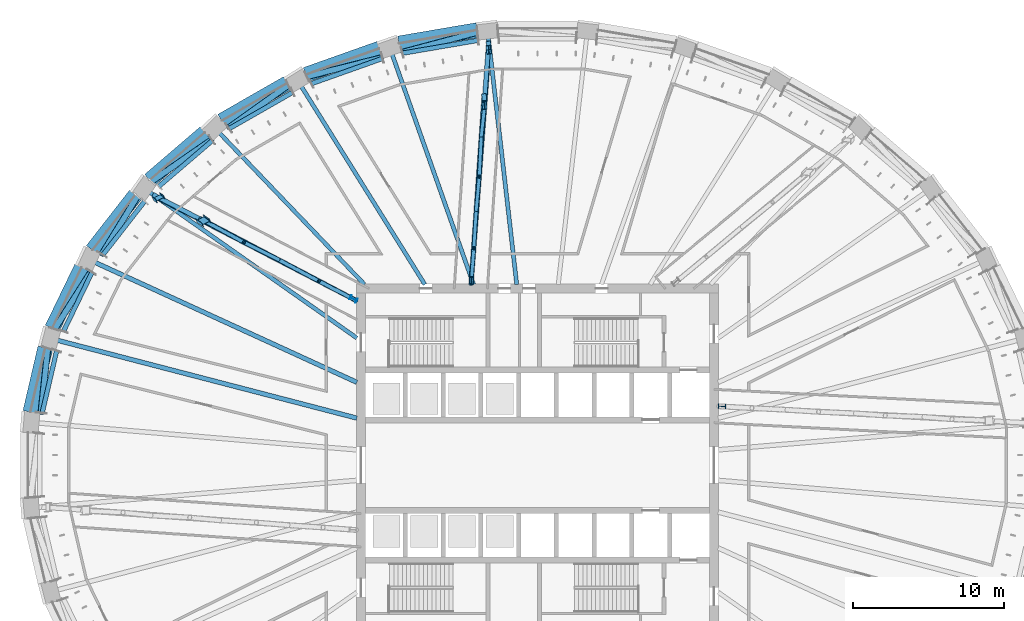
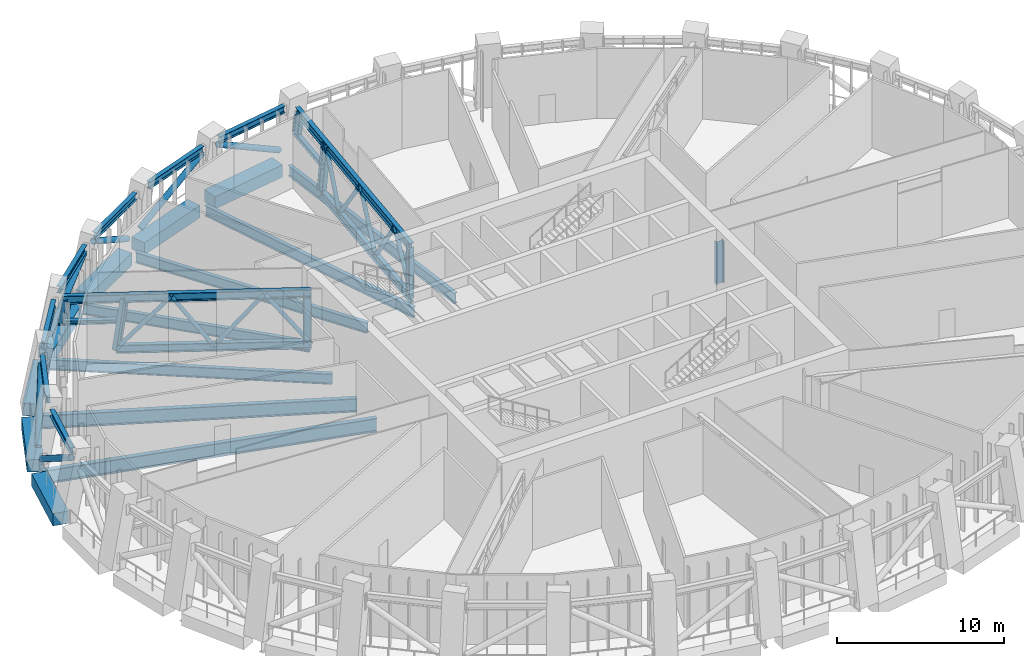
# One storey, part 4 of 21: 36 members, 14 beams.
"""IFC4 building model written with IfcOpenShell, lengths in metres."""

from ifc_helpers import new_model, si_unit, direction, frame, origin, origin_2d, place, context, subcontext, project, spatial, rectangle, hollow_circle, i_section, extrude, material, material_profile, profile_set, type_object, element, save


model = new_model("IFC4")

# Units and contexts
model_context = context("Model", 3, precision=1e-05, world=origin(), true_north=direction((0.0, 1.0)))
body_context = subcontext(model_context, "Body", "Model", "MODEL_VIEW")
ifc_project = project(units=[si_unit("LENGTHUNIT", "METRE"), si_unit("AREAUNIT", "SQUARE_METRE"), si_unit("VOLUMEUNIT", "CUBIC_METRE"), si_unit("PLANEANGLEUNIT", "RADIAN"), si_unit("MASSUNIT", "GRAM", prefix="KILO")], contexts=[model_context])

# Site, building, storey
site_placement = place(None, origin())
site = spatial("IfcSite", under=ifc_project, at=site_placement, CompositionType="ELEMENT")
building_placement = place(site_placement, origin())
building = spatial("IfcBuilding", under=site, at=building_placement, Name="Halqa Exchange Tower", CompositionType="ELEMENT")
storey_placement = place(building_placement, frame((0.0, 0.0, 173.5)))
storey = spatial("IfcBuildingStorey", under=building, at=storey_placement, Name="L39", CompositionType="ELEMENT", Elevation=173.5)

# Members
ifc_material_1 = material(Name="Steel S355", Category="steel")
ifc_material_profile_1 = material_profile(ifc_material_1, i_section(OverallWidth=0.300048828125, OverallDepth=0.5, WebThickness=0.014404296875, FlangeThickness=0.028076171875, FilletRadius=0.027099609375, at=origin_2d()), Name="HEB 500")
ifc_profile_set_1 = profile_set([ifc_material_profile_1], Name="Steel S355")
member_type_1 = type_object("IfcMemberType", Name="Belt truss chord HEB 500", PredefinedType="CHORD", material=ifc_profile_set_1)
member_1_placement = place(storey_placement, frame((-3.912841796875, 28.150390625, 4.25), z_axis=(-0.985772726473, -0.168083704572, 0.0), x_axis=(0.168083704572, -0.985772726473, 0.0)))
element("IfcMember", 1, at=member_1_placement, inside=storey, type_object=member_type_1, Name="Belt chord 9", PredefinedType="CHORD", context=body_context, shape_type="SweptSolid", body=[
    extrude(i_section(OverallWidth=0.300048828125, OverallDepth=0.5, WebThickness=0.014404296875, FlangeThickness=0.028076171875, FilletRadius=0.027099609375, at=origin_2d()), origin(), (0.0, 0.0, 1.0), 5.11279296875),
])
member_2_placement = place(storey_placement, frame((-10.254638671875, 26.95166015625, 4.25), z_axis=(-0.942378759051, -0.334547865769, 0.0), x_axis=(0.334547865769, -0.942378759051, 0.0)))
element("IfcMember", 2, at=member_2_placement, inside=storey, type_object=member_type_1, Name="Belt chord 10", PredefinedType="CHORD", context=body_context, shape_type="SweptSolid", body=[
    extrude(i_section(OverallWidth=0.300048828125, OverallDepth=0.5, WebThickness=0.014404296875, FlangeThickness=0.028076171875, FilletRadius=0.027099609375, at=origin_2d()), origin(), (0.0, 0.0, 1.0), 5.01708984375),
])
member_3_placement = place(storey_placement, frame((-16.2041015625, 24.712158203125, 4.25), z_axis=(-0.867761979949, -0.496980025912, 0.0), x_axis=(0.496980025912, -0.867761979949, 0.0)))
element("IfcMember", 3, at=member_3_placement, inside=storey, type_object=member_type_1, Name="Belt chord 11", PredefinedType="CHORD", context=body_context, shape_type="SweptSolid", body=[
    extrude(i_section(OverallWidth=0.300048828125, OverallDepth=0.5, WebThickness=0.014404296875, FlangeThickness=0.028076171875, FilletRadius=0.027099609375, at=origin_2d()), origin(), (0.0, 0.0, 1.0), 4.875244140625),
])
member_4_placement = place(storey_placement, frame((-21.53271484375, 21.5146484375, 4.25), z_axis=(-0.759249266191, -0.650799932228, 0.0), x_axis=(0.650799932228, -0.759249266191, 0.0)))
element("IfcMember", 4, at=member_4_placement, inside=storey, type_object=member_type_1, Name="Belt chord 12", PredefinedType="CHORD", context=body_context, shape_type="SweptSolid", body=[
    extrude(i_section(OverallWidth=0.300048828125, OverallDepth=0.5, WebThickness=0.014404296875, FlangeThickness=0.028076171875, FilletRadius=0.027099609375, at=origin_2d()), origin(), (0.0, 0.0, 1.0), 4.6982421875),
])
member_5_placement = place(storey_placement, frame((-26.02880859375, 17.483642578125, 4.25), z_axis=(-0.61479322814, -0.788688333014, 0.0), x_axis=(0.788688333014, -0.61479322814, 0.0)))
element("IfcMember", 5, at=member_5_placement, inside=storey, type_object=member_type_1, Name="Belt chord 13", PredefinedType="CHORD", context=body_context, shape_type="SweptSolid", body=[
    extrude(i_section(OverallWidth=0.300048828125, OverallDepth=0.5, WebThickness=0.014404296875, FlangeThickness=0.028076171875, FilletRadius=0.027099609375, at=origin_2d()), origin(), (0.0, 0.0, 1.0), 4.517822265625),
])
member_6_placement = place(storey_placement, frame((-29.515625, 12.779541015625, 4.25), z_axis=(-0.435124788825, -0.900370156186, 0.0), x_axis=(0.900370156186, -0.435124788825, 0.0)))
element("IfcMember", 6, at=member_6_placement, inside=storey, type_object=member_type_1, Name="Belt chord 14", PredefinedType="CHORD", context=body_context, shape_type="SweptSolid", body=[
    extrude(i_section(OverallWidth=0.300048828125, OverallDepth=0.5, WebThickness=0.014404296875, FlangeThickness=0.028076171875, FilletRadius=0.027099609375, at=origin_2d()), origin(), (0.0, 0.0, 1.0), 4.36083984375),
])
member_7_placement = place(storey_placement, frame((-31.8603515625, 7.5849609375, 4.25), z_axis=(-0.226071328972, -0.974110750488, 0.0), x_axis=(0.974110750488, -0.226071328972, 0.0)))
element("IfcMember", 7, at=member_7_placement, inside=storey, type_object=member_type_1, Name="Belt chord 15", PredefinedType="CHORD", context=body_context, shape_type="SweptSolid", body=[
    extrude(i_section(OverallWidth=0.300048828125, OverallDepth=0.5, WebThickness=0.014404296875, FlangeThickness=0.028076171875, FilletRadius=0.027099609375, at=origin_2d()), origin(), (0.0, 0.0, 1.0), 4.251708984375),
])
ifc_material_profile_2 = material_profile(ifc_material_1, hollow_circle(Radius=0.203125, WallThickness=0.02490234375, at=origin_2d()), Name="CHS 406.4x25")
ifc_profile_set_2 = profile_set([ifc_material_profile_2], Name="Steel S355")
member_type_2 = type_object("IfcMemberType", Name="Belt truss diagonal CHS 406.4x25", PredefinedType="BRACE", material=ifc_profile_set_2)
member_8_placement = place(storey_placement, frame((-3.975341796875, 28.6806640625, 0.892333984375), z_axis=(-0.837713840021, -0.223136467433, 0.498443215561), x_axis=(0.257389219972, -0.966307812988, 0.0)))
element("IfcMember", 8, at=member_8_placement, inside=storey, type_object=member_type_2, Name="Belt diagonal 9", PredefinedType="BRACE", context=body_context, shape_type="SweptSolid", body=[
    extrude(hollow_circle(Radius=0.203125, WallThickness=0.02490234375, at=origin_2d()), origin(), (0.0, 0.0, 1.0), 5.9619140625),
])
member_9_placement = place(storey_placement, frame((-10.268798828125, 27.0126953125, 3.864501953125), z_axis=(-0.840508424684, -0.213276763009, -0.498054826696), x_axis=(0.245952672162, -0.969281838815, 0.0)))
element("IfcMember", 9, at=member_9_placement, inside=storey, type_object=member_type_2, Name="Belt diagonal 10", PredefinedType="BRACE", context=body_context, shape_type="SweptSolid", body=[
    extrude(hollow_circle(Radius=0.203125, WallThickness=0.02490234375, at=origin_2d()), origin(), (0.0, 0.0, 1.0), 5.968505859375),
])
member_10_placement = place(storey_placement, frame((-16.504638671875, 25.174072265625, 0.912353515625), z_axis=(-0.69757096211, -0.497474173459, 0.515668691663), x_axis=(0.580626866406, -0.814169786966, 0.0)))
element("IfcMember", 10, at=member_10_placement, inside=storey, type_object=member_type_2, Name="Belt diagonal 11", PredefinedType="BRACE", context=body_context, shape_type="SweptSolid", body=[
    extrude(hollow_circle(Radius=0.203125, WallThickness=0.02490234375, at=origin_2d()), origin(), (0.0, 0.0, 1.0), 5.689453125),
])
member_11_placement = place(storey_placement, frame((-21.571533203125, 21.5712890625, 3.846923828125), z_axis=(-0.704309128448, -0.48869555383, -0.514903201827), x_axis=(0.570074666701, -0.821592888471, 0.0)))
element("IfcMember", 11, at=member_11_placement, inside=storey, type_object=member_type_2, Name="Belt diagonal 12", PredefinedType="BRACE", context=body_context, shape_type="SweptSolid", body=[
    extrude(hollow_circle(Radius=0.203125, WallThickness=0.02490234375, at=origin_2d()), origin(), (0.0, 0.0, 1.0), 5.701171875),
])
member_12_placement = place(storey_placement, frame((-26.509521484375, 17.80859375, 0.93896484375), z_axis=(-0.440784626595, -0.718445669426, 0.538093609924), x_axis=(0.852364909508, -0.522947474456, 0.0)))
element("IfcMember", 12, at=member_12_placement, inside=storey, type_object=member_type_2, Name="Belt diagonal 13", PredefinedType="BRACE", context=body_context, shape_type="SweptSolid", body=[
    extrude(hollow_circle(Radius=0.203125, WallThickness=0.02490234375, at=origin_2d()), origin(), (0.0, 0.0, 1.0), 5.3564453125),
])
member_13_placement = place(storey_placement, frame((-29.5810546875, 12.82080078125, 3.822265625), z_axis=(-0.451449029018, -0.712332770759, -0.537378635509), x_axis=(0.844655590948, -0.535310127571, 0.0)))
element("IfcMember", 13, at=member_13_placement, inside=storey, type_object=member_type_2, Name="Belt diagonal 14", PredefinedType="BRACE", context=body_context, shape_type="SweptSolid", body=[
    extrude(hollow_circle(Radius=0.203125, WallThickness=0.02490234375, at=origin_2d()), origin(), (0.0, 0.0, 1.0), 5.364013671875),
])
member_14_placement = place(storey_placement, frame((-32.4453125, 7.729736328125, 0.95751953125), z_axis=(-0.088716374085, -0.829155061044, 0.551934135305), x_axis=(0.994324598687, -0.10638887369, 0.0)))
element("IfcMember", 14, at=member_14_placement, inside=storey, type_object=member_type_2, Name="Belt diagonal 15", PredefinedType="BRACE", context=body_context, shape_type="SweptSolid", body=[
    extrude(hollow_circle(Radius=0.203125, WallThickness=0.02490234375, at=origin_2d()), origin(), (0.0, 0.0, 1.0), 5.159912109375),
])

# Beams
ifc_material_profile_3 = material_profile(ifc_material_1, i_section(OverallWidth=0.300048828125, OverallDepth=0.989990234375, WebThickness=0.0166015625, FlangeThickness=0.031005859375, FilletRadius=0.030029296875, at=origin_2d()), Name="HEA 1000")
ifc_profile_set_3 = profile_set([ifc_material_profile_3], Name="Steel S355")
beam_type_1 = type_object("IfcBeamType", Name="Floor beam HEA 1000", PredefinedType="BEAM", material=ifc_profile_set_3)
beam_1_placement = place(storey_placement, frame((-11.972412109375, 5.4853515625, -0.844970703125), z_axis=(-0.909131678644, 0.416508812495, 0.0), x_axis=(-0.416508812495, -0.909131678644, 0.0)))
element("IfcBeam", 15, at=beam_1_placement, inside=storey, type_object=beam_type_1, Name="Radial beam 14", PredefinedType="BEAM", context=body_context, shape_type="SweptSolid", body=[
    extrude(i_section(OverallWidth=0.300048828125, OverallDepth=0.989990234375, WebThickness=0.0166015625, FlangeThickness=0.031005859375, FilletRadius=0.030029296875, at=origin_2d()), origin(), (0.0, 0.0, 1.0), 19.36083984375),
])
ifc_material_profile_4 = material_profile(ifc_material_1, i_section(OverallWidth=0.300048828125, OverallDepth=1.0, WebThickness=0.01904296875, FlangeThickness=0.035888671875, FilletRadius=0.030029296875, at=origin_2d()), Name="HEB 1000")
ifc_profile_set_4 = profile_set([ifc_material_profile_4], Name="Steel S355")
beam_type_2 = type_object("IfcBeamType", Name="Floor beam HEB 1000", PredefinedType="BEAM", material=ifc_profile_set_4)
beam_2_placement = place(storey_placement, frame((-11.97119140625, 3.11279296875, -0.85009765625), z_axis=(-0.967821534715, 0.251637590478, 0.0), x_axis=(-0.251637590478, -0.967821534715, 0.0)))
element("IfcBeam", 16, at=beam_2_placement, inside=storey, type_object=beam_type_2, Name="Radial beam 15", PredefinedType="BEAM", context=body_context, shape_type="SweptSolid", body=[
    extrude(i_section(OverallWidth=0.300048828125, OverallDepth=1.0, WebThickness=0.01904296875, FlangeThickness=0.035888671875, FilletRadius=0.030029296875, at=origin_2d()), origin(), (0.0, 0.0, 1.0), 20.79638671875),
])
ifc_material_profile_5 = material_profile(ifc_material_1, i_section(OverallWidth=0.264892578125, OverallDepth=0.7529296875, WebThickness=0.01318359375, FlangeThickness=0.01708984375, FilletRadius=0.01708984375, at=origin_2d()), Name="IPE 750x147")
ifc_profile_set_5 = profile_set([ifc_material_profile_5], Name="Steel S355")
beam_type_3 = type_object("IfcBeamType", Name="Floor beam IPE 750x147", PredefinedType="BEAM", material=ifc_profile_set_5)
beam_3_placement = place(storey_placement, frame((-11.462890625, 11.97216796875, -0.7265625), z_axis=(-0.691574751558, 0.722304896153, 0.0), x_axis=(-0.722304896153, -0.691574751558, 0.0)))
element("IfcBeam", 17, at=beam_3_placement, inside=storey, type_object=beam_type_3, Name="Radial beam 12", PredefinedType="BEAM", context=body_context, shape_type="SweptSolid", body=[
    extrude(i_section(OverallWidth=0.264892578125, OverallDepth=0.7529296875, WebThickness=0.01318359375, FlangeThickness=0.01708984375, FilletRadius=0.01708984375, at=origin_2d()), origin(), (0.0, 0.0, 1.0), 14.165283203125),
])
ifc_material_profile_6 = material_profile(ifc_material_1, i_section(OverallWidth=0.26806640625, OverallDepth=0.77001953125, WebThickness=0.015625, FlangeThickness=0.025390625, FilletRadius=0.01708984375, at=origin_2d()), Name="IPE 750x196")
ifc_profile_set_6 = profile_set([ifc_material_profile_6], Name="Steel S355")
beam_type_4 = type_object("IfcBeamType", Name="Floor beam IPE 750x196", PredefinedType="BEAM", material=ifc_profile_set_6)
beam_4_placement = place(storey_placement, frame((-1.37548828125, 11.97119140625, -0.735107421875), z_axis=(-0.114150878314, 0.993463425084, 0.0), x_axis=(-0.993463425084, -0.114150878314, 0.0)))
element("IfcBeam", 18, at=beam_4_placement, inside=storey, type_object=beam_type_4, Name="Radial beam 9", PredefinedType="BEAM", context=body_context, shape_type="SweptSolid", body=[
    extrude(i_section(OverallWidth=0.26806640625, OverallDepth=0.77001953125, WebThickness=0.015625, FlangeThickness=0.025390625, FilletRadius=0.01708984375, at=origin_2d()), origin(), (0.0, 0.0, 1.0), 16.70361328125),
])
beam_5_placement = place(storey_placement, frame((-4.237060546875, 11.972412109375, -0.735107421875), z_axis=(-0.333624740658, 0.942705962865, 0.0), x_axis=(-0.942705962865, -0.333624740658, 0.0)))
element("IfcBeam", 19, at=beam_5_placement, inside=storey, type_object=beam_type_4, Name="Radial beam 10", PredefinedType="BEAM", context=body_context, shape_type="SweptSolid", body=[
    extrude(i_section(OverallWidth=0.26806640625, OverallDepth=0.77001953125, WebThickness=0.015625, FlangeThickness=0.025390625, FilletRadius=0.01708984375, at=origin_2d()), origin(), (0.0, 0.0, 1.0), 16.440185546875),
])
beam_6_placement = place(storey_placement, frame((-7.46533203125, 11.971435546875, -0.735107421875), z_axis=(-0.529139539114, 0.848534824357, 0.0), x_axis=(-0.848534824357, -0.529139539114, 0.0)))
element("IfcBeam", 20, at=beam_6_placement, inside=storey, type_object=beam_type_4, Name="Radial beam 11", PredefinedType="BEAM", context=body_context, shape_type="SweptSolid", body=[
    extrude(i_section(OverallWidth=0.26806640625, OverallDepth=0.77001953125, WebThickness=0.015625, FlangeThickness=0.025390625, FilletRadius=0.01708984375, at=origin_2d()), origin(), (0.0, 0.0, 1.0), 15.73486328125),
])
beam_7_placement = place(storey_placement, frame((-11.971435546875, 8.421142578125, -0.735107421875), z_axis=(-0.817908264437, 0.575348651659, 0.0), x_axis=(-0.575348651659, -0.817908264437, 0.0)))
element("IfcBeam", 21, at=beam_7_placement, inside=storey, type_object=beam_type_4, Name="Radial beam 13", PredefinedType="BEAM", context=body_context, shape_type="SweptSolid", body=[
    extrude(i_section(OverallWidth=0.26806640625, OverallDepth=0.77001953125, WebThickness=0.015625, FlangeThickness=0.025390625, FilletRadius=0.01708984375, at=origin_2d()), origin(), (0.0, 0.0, 1.0), 17.04638671875),
])

# Members
ifc_material_profile_7 = material_profile(ifc_material_1, i_section(OverallWidth=0.300048828125, OverallDepth=0.60009765625, WebThickness=0.015380859375, FlangeThickness=0.030029296875, FilletRadius=0.027099609375, at=origin_2d()), Name="HEB 600")
ifc_profile_set_7 = profile_set([ifc_material_profile_7], Name="Steel S355")
member_type_3 = type_object("IfcMemberType", Name="Outrigger chord HEB 600", PredefinedType="CHORD", material=ifc_profile_set_7)
member_15_placement = place(storey_placement, frame((-4.40185546875, 11.97314453125, 0.300048828125), z_axis=(0.069013721873, 0.997615710679, 0.0), x_axis=(-0.997615710679, 0.069013721873, 0.0)))
element("IfcMember", 22, at=member_15_placement, inside=storey, type_object=member_type_3, Name="Outrigger 3 chord", PredefinedType="CHORD", context=body_context, shape_type="SweptSolid", body=[
    extrude(i_section(OverallWidth=0.300048828125, OverallDepth=0.60009765625, WebThickness=0.015380859375, FlangeThickness=0.030029296875, FilletRadius=0.027099609375, at=origin_2d()), origin(), (0.0, 0.0, 1.0), 12.39208984375),
])
member_16_placement = place(storey_placement, frame((-4.40185546875, 11.97314453125, 4.047119140625), z_axis=(0.075842431242, 0.997119815079, 0.0), x_axis=(-0.997119815079, 0.075842431242, 0.0)))
element("IfcMember", 23, at=member_16_placement, inside=storey, type_object=member_type_3, Name="Outrigger 3 chord", PredefinedType="CHORD", context=body_context, shape_type="SweptSolid", body=[
    extrude(i_section(OverallWidth=0.300048828125, OverallDepth=0.60009765625, WebThickness=0.015380859375, FlangeThickness=0.030029296875, FilletRadius=0.027099609375, at=origin_2d()), origin(), (0.0, 0.0, 1.0), 15.892333984375),
])
member_17_placement = place(storey_placement, frame((-11.976318359375, 10.887451171875, 0.300048828125), z_axis=(-0.885364282681, 0.464897931759, 0.0), x_axis=(-0.464897931759, -0.885364282681, 0.0)))
element("IfcMember", 24, at=member_17_placement, inside=storey, type_object=member_type_3, Name="Outrigger 4 chord", PredefinedType="CHORD", context=body_context, shape_type="SweptSolid", body=[
    extrude(i_section(OverallWidth=0.300048828125, OverallDepth=0.60009765625, WebThickness=0.015380859375, FlangeThickness=0.030029296875, FilletRadius=0.027099609375, at=origin_2d()), origin(), (0.0, 0.0, 1.0), 11.731201171875),
])
member_18_placement = place(storey_placement, frame((-11.976318359375, 10.887451171875, 4.047119140625), z_axis=(-0.887989764126, 0.459863217497, 0.0), x_axis=(-0.459863217497, -0.887989764126, 0.0)))
element("IfcMember", 25, at=member_18_placement, inside=storey, type_object=member_type_3, Name="Outrigger 4 chord", PredefinedType="CHORD", context=body_context, shape_type="SweptSolid", body=[
    extrude(i_section(OverallWidth=0.300048828125, OverallDepth=0.60009765625, WebThickness=0.015380859375, FlangeThickness=0.030029296875, FilletRadius=0.027099609375, at=origin_2d()), origin(), (0.0, 0.0, 1.0), 14.947021484375),
])
ifc_material_profile_8 = material_profile(ifc_material_1, hollow_circle(Radius=0.136474609375, WallThickness=0.01611328125, at=origin_2d()), Name="CHS 273x16")
ifc_profile_set_8 = profile_set([ifc_material_profile_8], Name="Steel S355")
member_type_4 = type_object("IfcMemberType", Name="Outrigger diagonal CHS 273x16", PredefinedType="BRACE", material=ifc_profile_set_8)
member_19_placement = place(storey_placement, frame((-4.39990234375, 12.0, 0.300048828125), z_axis=(0.040644562756, 0.534594248966, 0.844130919047), x_axis=(-0.997122280027, 0.075810016969, 0.0)))
element("IfcMember", 26, at=member_19_placement, inside=storey, type_object=member_type_4, Name="Outrigger 3 diagonal", PredefinedType="BRACE", context=body_context, shape_type="SweptSolid", body=[
    extrude(hollow_circle(Radius=0.136474609375, WallThickness=0.01611328125, at=origin_2d()), origin(), (0.0, 0.0, 1.0), 4.43896484375),
])
member_20_placement = place(storey_placement, frame((-4.219482421875, 14.373046875, 4.047119140625), z_axis=(0.035311136673, 0.562340617101, -0.826151411053), x_axis=(-0.998034321451, 0.062669715217, 0.0)))
element("IfcMember", 27, at=member_20_placement, inside=storey, type_object=member_type_4, Name="Outrigger 3 diagonal", PredefinedType="BRACE", context=body_context, shape_type="SweptSolid", body=[
    extrude(hollow_circle(Radius=0.136474609375, WallThickness=0.01611328125, at=origin_2d()), origin(), (0.0, 0.0, 1.0), 4.53564453125),
])
member_21_placement = place(storey_placement, frame((-4.059326171875, 16.923583984375, 0.300048828125), z_axis=(0.046217397065, 0.504965776923, 0.861901105896), x_axis=(-0.995837646661, 0.09114483799, 0.0)))
element("IfcMember", 28, at=member_21_placement, inside=storey, type_object=member_type_4, Name="Outrigger 3 diagonal", PredefinedType="BRACE", context=body_context, shape_type="SweptSolid", body=[
    extrude(hollow_circle(Radius=0.136474609375, WallThickness=0.01611328125, at=origin_2d()), origin(), (0.0, 0.0, 1.0), 4.347412109375),
])
member_22_placement = place(storey_placement, frame((-3.8583984375, 19.118896484375, 4.047119140625), z_axis=(0.030115836256, 0.588311808267, -0.808073172838), x_axis=(-0.998692347892, 0.051123324055, 0.0)))
element("IfcMember", 29, at=member_22_placement, inside=storey, type_object=member_type_4, Name="Outrigger 3 diagonal", PredefinedType="BRACE", context=body_context, shape_type="SweptSolid", body=[
    extrude(hollow_circle(Radius=0.136474609375, WallThickness=0.01611328125, at=origin_2d()), origin(), (0.0, 0.0, 1.0), 4.636962890625),
])
member_23_placement = place(storey_placement, frame((-3.71875, 21.846923828125, 0.300048828125), z_axis=(0.05190360873, 0.473491529969, 0.879267755833), x_axis=(-0.994045461362, 0.108966144948, 0.0)))
element("IfcMember", 30, at=member_23_placement, inside=storey, type_object=member_type_4, Name="Outrigger 3 diagonal", PredefinedType="BRACE", context=body_context, shape_type="SweptSolid", body=[
    extrude(hollow_circle(Radius=0.136474609375, WallThickness=0.01611328125, at=origin_2d()), origin(), (0.0, 0.0, 1.0), 4.261474609375),
])
member_24_placement = place(storey_placement, frame((-12.0, 10.89990234375, 0.300048828125), z_axis=(-0.531228659703, 0.275142509743, 0.801306876572), x_axis=(-0.45990954443, -0.887965771267, 0.0)))
element("IfcMember", 31, at=member_24_placement, inside=storey, type_object=member_type_4, Name="Outrigger 4 diagonal", PredefinedType="BRACE", context=body_context, shape_type="SweptSolid", body=[
    extrude(hollow_circle(Radius=0.136474609375, WallThickness=0.01611328125, at=origin_2d()), origin(), (0.0, 0.0, 1.0), 4.67626953125),
])
member_25_placement = place(storey_placement, frame((-14.484130859375, 12.1865234375, 4.047119140625), z_axis=(-0.556421318395, 0.295891289326, -0.776430074982), x_axis=(-0.469517118401, -0.882923369001, 0.0)))
element("IfcMember", 32, at=member_25_placement, inside=storey, type_object=member_type_4, Name="Outrigger 4 diagonal", PredefinedType="BRACE", context=body_context, shape_type="SweptSolid", body=[
    extrude(hollow_circle(Radius=0.136474609375, WallThickness=0.01611328125, at=origin_2d()), origin(), (0.0, 0.0, 1.0), 4.825927734375),
])
member_26_placement = place(storey_placement, frame((-17.16943359375, 13.614501953125, 0.300048828125), z_axis=(-0.503482271518, 0.252494851734, 0.826288056379), x_axis=(-0.448283803661, -0.893891286106, 0.0)))
element("IfcMember", 33, at=member_26_placement, inside=storey, type_object=member_type_4, Name="Outrigger 4 diagonal", PredefinedType="BRACE", context=body_context, shape_type="SweptSolid", body=[
    extrude(hollow_circle(Radius=0.136474609375, WallThickness=0.01611328125, at=origin_2d()), origin(), (0.0, 0.0, 1.0), 4.534912109375),
])
member_27_placement = place(storey_placement, frame((-19.45263671875, 14.759521484375, 4.047119140625), z_axis=(-0.579208464254, 0.31490755377, -0.751898123096), x_axis=(-0.477654231801, -0.878547912662, 0.0)))
element("IfcMember", 34, at=member_27_placement, inside=storey, type_object=member_type_4, Name="Outrigger 4 diagonal", PredefinedType="BRACE", context=body_context, shape_type="SweptSolid", body=[
    extrude(hollow_circle(Radius=0.136474609375, WallThickness=0.01611328125, at=origin_2d()), origin(), (0.0, 0.0, 1.0), 4.9833984375),
])
ifc_material_profile_9 = material_profile(ifc_material_1, i_section(OverallWidth=0.300048828125, OverallDepth=0.300048828125, WebThickness=0.010986328125, FlangeThickness=0.01904296875, FilletRadius=0.027099609375, at=origin_2d()), Name="HEB 300")
ifc_profile_set_9 = profile_set([ifc_material_profile_9], Name="Steel S355")
member_type_5 = type_object("IfcMemberType", Name="Outrigger opening chord HEB 300", PredefinedType="CHORD", material=ifc_profile_set_9)
member_28_placement = place(storey_placement, frame((-3.5205078125, 24.06591796875, 2.35009765625), z_axis=(0.072709792477, 0.997353140105, 0.0), x_axis=(-0.997353140105, 0.072709792477, 0.0)))
element("IfcMember", 35, at=member_28_placement, inside=storey, type_object=member_type_5, Name="Outrigger 3 opening chord", PredefinedType="CHORD", context=body_context, shape_type="SweptSolid", body=[
    extrude(i_section(OverallWidth=0.300048828125, OverallDepth=0.300048828125, WebThickness=0.010986328125, FlangeThickness=0.01904296875, FilletRadius=0.027099609375, at=origin_2d()), origin(), (0.0, 0.0, 1.0), 4.03271484375),
])
member_29_placement = place(storey_placement, frame((-22.118896484375, 16.174072265625, 2.35009765625), z_axis=(-0.886804488074, 0.462144782436, 0.0), x_axis=(-0.462144782436, -0.886804488074, 0.0)))
element("IfcMember", 36, at=member_29_placement, inside=storey, type_object=member_type_5, Name="Outrigger 4 opening chord", PredefinedType="CHORD", context=body_context, shape_type="SweptSolid", body=[
    extrude(i_section(OverallWidth=0.300048828125, OverallDepth=0.300048828125, WebThickness=0.010986328125, FlangeThickness=0.01904296875, FilletRadius=0.027099609375, at=origin_2d()), origin(), (0.0, 0.0, 1.0), 3.8037109375),
])
ifc_material_profile_10 = material_profile(ifc_material_1, i_section(OverallWidth=0.300048828125, OverallDepth=0.5, WebThickness=0.014404296875, FlangeThickness=0.028076171875, FilletRadius=0.027099609375, at=origin_2d()), Name="HEB 500")
ifc_profile_set_10 = profile_set([ifc_material_profile_10], Name="Steel S355")
member_type_6 = type_object("IfcMemberType", Name="Outrigger post HEB 500", PredefinedType="POST", material=ifc_profile_set_10)
member_30_placement = place(storey_placement, frame((12.2216796875, 3.888427734375, 0.50390625), z_axis=(0.0, 0.0, 1.0), x_axis=(0.051307595647, 0.998682897936, 0.0)))
element("IfcMember", 37, at=member_30_placement, inside=storey, type_object=member_type_6, Name="Outrigger 1 post", PredefinedType="POST", context=body_context, shape_type="SweptSolid", body=[
    extrude(i_section(OverallWidth=0.300048828125, OverallDepth=0.5, WebThickness=0.014404296875, FlangeThickness=0.028076171875, FilletRadius=0.027099609375, at=origin_2d()), origin(), (0.0, 0.0, 1.0), 3.10205078125),
])
for number, where, z_axis, x_axis, name in (
    (38, (-4.384765625, 12.2216796875, 0.300048828125), (0.0, 0.0, 1.0), (-0.997636552079, 0.068711789056, 0.0), "Outrigger 3 post"),
    (39, (-12.19677734375, 11.00341796875, 0.300048828125), (0.0, 0.0, 1.0), (-0.465135627806, -0.885239429615, 0.0), "Outrigger 4 post"),
):
    element("IfcMember", number, at=place(storey_placement, frame(where, z_axis=z_axis, x_axis=x_axis)), inside=storey, type_object=member_type_6, Name=name, PredefinedType="POST", context=body_context, shape_type="SweptSolid", body=[
        extrude(i_section(OverallWidth=0.300048828125, OverallDepth=0.5, WebThickness=0.014404296875, FlangeThickness=0.028076171875, FilletRadius=0.027099609375, at=origin_2d()), origin(), (0.0, 0.0, 1.0), 3.7470703125),
    ])
ifc_material_profile_11 = material_profile(ifc_material_1, i_section(OverallWidth=0.300048828125, OverallDepth=0.60009765625, WebThickness=0.015380859375, FlangeThickness=0.030029296875, FilletRadius=0.027099609375, at=origin_2d()), Name="HEB 600")
ifc_profile_set_11 = profile_set([ifc_material_profile_11], Name="Steel S355")
member_type_7 = type_object("IfcMemberType", Name="Outrigger post HEB 600", PredefinedType="POST", material=ifc_profile_set_11)
member_31_placement = place(storey_placement, frame((-3.548583984375, 24.30859375, 0.300048828125), z_axis=(0.013521634881, -0.117618814416, 0.992966756687), x_axis=(-0.998901060541, -0.046157258949, 0.008135028986)))
element("IfcMember", 40, at=member_31_placement, inside=storey, type_object=member_type_7, Name="Outrigger 3 post", PredefinedType="POST", context=body_context, shape_type="SweptSolid", body=[
    extrude(i_section(OverallWidth=0.300048828125, OverallDepth=0.60009765625, WebThickness=0.015380859375, FlangeThickness=0.030029296875, FilletRadius=0.027099609375, at=origin_2d()), origin(), (0.0, 0.0, 1.0), 3.773681640625),
])
member_32_placement = place(storey_placement, frame((-3.248046875, 27.789306640625, 2.35009765625), z_axis=(0.017902011523, -0.156003243274, 0.987594302369), x_axis=(-0.998868402493, -0.046319529687, 0.010789609426)))
element("IfcMember", 41, at=member_32_placement, inside=storey, type_object=member_type_7, Name="Outrigger 3 post", PredefinedType="POST", context=body_context, shape_type="SweptSolid", body=[
    extrude(i_section(OverallWidth=0.300048828125, OverallDepth=0.60009765625, WebThickness=0.015380859375, FlangeThickness=0.030029296875, FilletRadius=0.027099609375, at=origin_2d()), origin(), (0.0, 0.0, 1.0), 1.71826171875),
])
member_33_placement = place(storey_placement, frame((-22.339111328125, 16.328857421875, 0.300048828125), z_axis=(0.106462194385, -0.074872380638, 0.991493786054), x_axis=(0.450366808545, -0.885378263619, -0.115217481627)))
element("IfcMember", 42, at=member_33_placement, inside=storey, type_object=member_type_7, Name="Outrigger 4 post", PredefinedType="POST", context=body_context, shape_type="SweptSolid", body=[
    extrude(i_section(OverallWidth=0.300048828125, OverallDepth=0.60009765625, WebThickness=0.015380859375, FlangeThickness=0.030029296875, FilletRadius=0.027099609375, at=origin_2d()), origin(), (0.0, 0.0, 1.0), 3.779296875),
])
member_34_placement = place(storey_placement, frame((-25.227294921875, 17.79296875, 2.35009765625), z_axis=(0.141001584791, -0.099197094828, 0.985027151638), x_axis=(0.445542160688, -0.882156990317, -0.15261463719)))
element("IfcMember", 43, at=member_34_placement, inside=storey, type_object=member_type_7, Name="Outrigger 4 post", PredefinedType="POST", context=body_context, shape_type="SweptSolid", body=[
    extrude(i_section(OverallWidth=0.300048828125, OverallDepth=0.60009765625, WebThickness=0.015380859375, FlangeThickness=0.030029296875, FilletRadius=0.027099609375, at=origin_2d()), origin(), (0.0, 0.0, 1.0), 1.722900390625),
])

# Beams
ifc_material_2 = material(Name="Concrete C60/75", Category="concrete")
ifc_material_profile_12 = material_profile(ifc_material_2, rectangle(XDim=1.0, YDim=0.89990234375, at=origin_2d()), Name="1000 x 900")
ifc_profile_set_12 = profile_set([ifc_material_profile_12], Name="Concrete C60/75")
beam_type_5 = type_object("IfcBeamType", Name="RC spandrel beam 1000 x 900 C60/75", PredefinedType="SPANDREL", material=ifc_profile_set_12)
beam_8_placement = place(storey_placement, frame((-3.990478515625, 28.82177734375, -0.449951171875), z_axis=(-0.985766792744, -0.168118500836, 0.0), x_axis=(0.168118500836, -0.985766792744, 0.0)))
element("IfcBeam", 44, at=beam_8_placement, inside=storey, type_object=beam_type_5, Name="Spandrel 9", PredefinedType="SPANDREL", context=body_context, shape_type="SweptSolid", body=[
    extrude(rectangle(XDim=1.0, YDim=0.89990234375, at=origin_2d()), origin(), (0.0, 0.0, 1.0), 5.26708984375),
])
beam_9_placement = place(storey_placement, frame((-10.482177734375, 27.59765625, -0.449951171875), z_axis=(-0.942370602203, -0.334570841682, 0.0), x_axis=(0.334570841682, -0.942370602203, 0.0)))
element("IfcBeam", 45, at=beam_9_placement, inside=storey, type_object=beam_type_5, Name="Spandrel 10", PredefinedType="SPANDREL", context=body_context, shape_type="SweptSolid", body=[
    extrude(rectangle(XDim=1.0, YDim=0.89990234375, at=origin_2d()), origin(), (0.0, 0.0, 1.0), 5.169921875),
])
beam_10_placement = place(storey_placement, frame((-16.5751953125, 25.30712890625, -0.449951171875), z_axis=(-0.867743165303, -0.497012876161, 0.0), x_axis=(0.497012876161, -0.867743165303, 0.0)))
element("IfcBeam", 46, at=beam_10_placement, inside=storey, type_object=beam_type_5, Name="Spandrel 11", PredefinedType="SPANDREL", context=body_context, shape_type="SweptSolid", body=[
    extrude(rectangle(XDim=1.0, YDim=0.89990234375, at=origin_2d()), origin(), (0.0, 0.0, 1.0), 5.022705078125),
])
beam_11_placement = place(storey_placement, frame((-22.031005859375, 22.03662109375, -0.449951171875), z_axis=(-0.759260160399, -0.650787222394, 0.0), x_axis=(0.650787222394, -0.759260160399, 0.0)))
element("IfcBeam", 47, at=beam_11_placement, inside=storey, type_object=beam_type_5, Name="Spandrel 12", PredefinedType="SPANDREL", context=body_context, shape_type="SweptSolid", body=[
    extrude(rectangle(XDim=1.0, YDim=0.89990234375, at=origin_2d()), origin(), (0.0, 0.0, 1.0), 4.843505859375),
])
beam_12_placement = place(storey_placement, frame((-26.63623046875, 17.9130859375, -0.449951171875), z_axis=(-0.614796515977, -0.78868577009, 0.0), x_axis=(0.78868577009, -0.614796515977, 0.0)))
element("IfcBeam", 48, at=beam_12_placement, inside=storey, type_object=beam_type_5, Name="Spandrel 13", PredefinedType="SPANDREL", context=body_context, shape_type="SweptSolid", body=[
    extrude(rectangle(XDim=1.0, YDim=0.89990234375, at=origin_2d()), origin(), (0.0, 0.0, 1.0), 4.658447265625),
])
beam_13_placement = place(storey_placement, frame((-30.20947265625, 13.09814453125, -0.449951171875), z_axis=(-0.435099717308, -0.900382272148, 0.0), x_axis=(0.900382272148, -0.435099717308, 0.0)))
element("IfcBeam", 49, at=beam_13_placement, inside=storey, type_object=beam_type_5, Name="Spandrel 14", PredefinedType="SPANDREL", context=body_context, shape_type="SweptSolid", body=[
    extrude(rectangle(XDim=1.0, YDim=0.89990234375, at=origin_2d()), origin(), (0.0, 0.0, 1.0), 4.497314453125),
])
beam_14_placement = place(storey_placement, frame((-32.613525390625, 7.780517578125, -0.449951171875), z_axis=(-0.226050480348, -0.974115588795, 0.0), x_axis=(0.974115588795, -0.226050480348, 0.0)))
element("IfcBeam", 50, at=beam_14_placement, inside=storey, type_object=beam_type_5, Name="Spandrel 15", PredefinedType="SPANDREL", context=body_context, shape_type="SweptSolid", body=[
    extrude(rectangle(XDim=1.0, YDim=0.89990234375, at=origin_2d()), origin(), (0.0, 0.0, 1.0), 4.385986328125),
])

save(model, "model.ifc")
